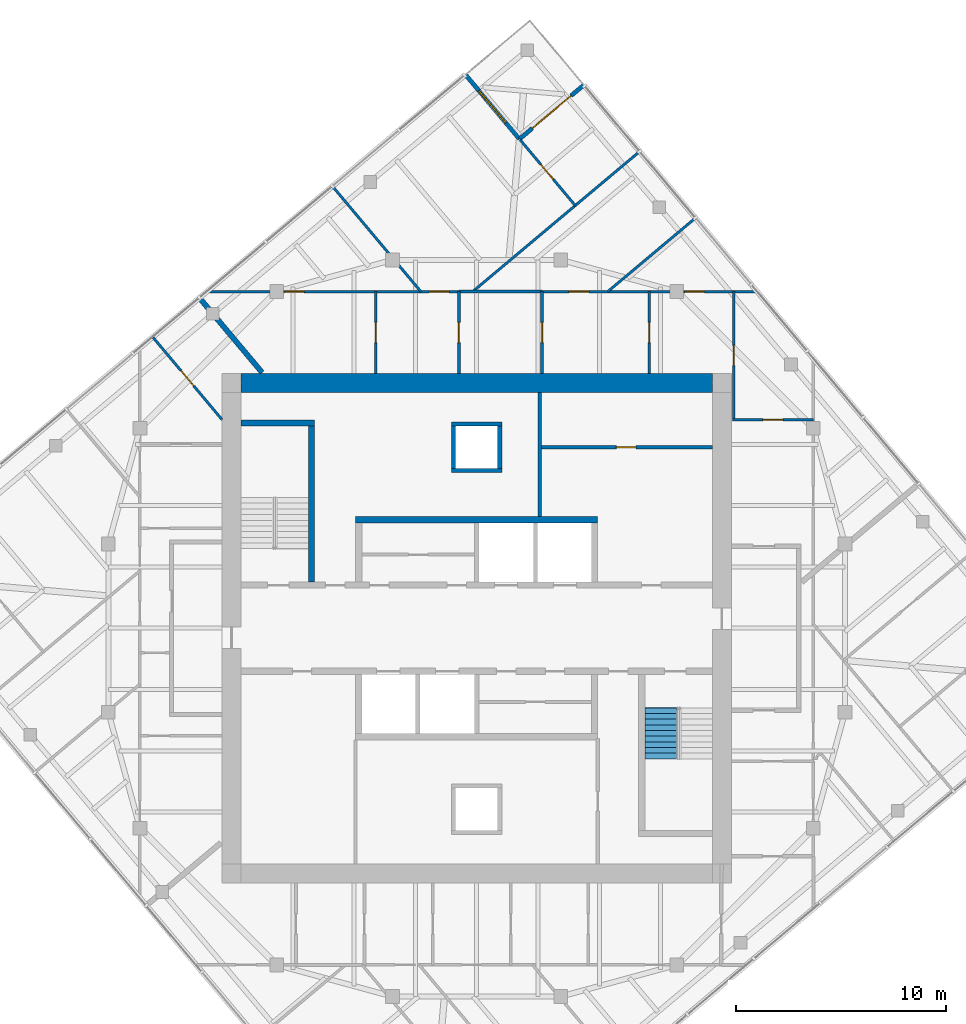
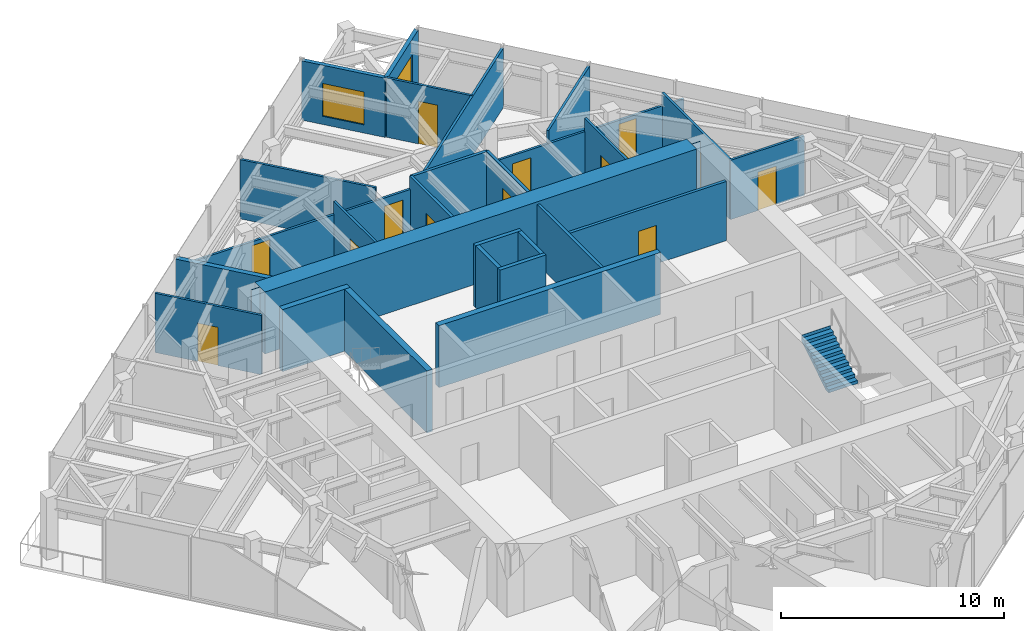
# One storey, part 10 of 12: 27 walls, 14 doors, 1 stair flight, 1 window, 15 openings, 1 element without a shape of its own.
"""IFC4 building model written with IfcOpenShell, lengths in metres."""

from ifc_helpers import new_model, si_unit, direction, frame, frame_2d, origin, place, context, subcontext, project, spatial, polyline, rectangle, outline, extrude, material, layer, layer_set, type_object, element, fill, aggregate, save


model = new_model("IFC4")

# Units and contexts
model_context = context("Model", 3, precision=1e-05, world=origin(), true_north=direction((0.0, 1.0)))
body_context = subcontext(model_context, "Body", "Model", "MODEL_VIEW")
ifc_project = project(units=[si_unit("LENGTHUNIT", "METRE"), si_unit("AREAUNIT", "SQUARE_METRE"), si_unit("VOLUMEUNIT", "CUBIC_METRE"), si_unit("PLANEANGLEUNIT", "RADIAN"), si_unit("MASSUNIT", "GRAM", prefix="KILO")], contexts=[model_context])

# Site, building, storey
site_placement = place(None, origin())
site = spatial("IfcSite", under=ifc_project, at=site_placement, CompositionType="ELEMENT")
building_placement = place(site_placement, origin())
building = spatial("IfcBuilding", under=site, at=building_placement, Name="Torsade Residences", CompositionType="ELEMENT")
storey_placement = place(building_placement, frame((0.0, 0.0, 286.199951171875)))
storey = spatial("IfcBuildingStorey", under=building, at=storey_placement, Name="L79", CompositionType="ELEMENT", Elevation=286.199951171875)

# Walls
ifc_material_1 = material(Name="Concrete 80 MPa", Category="concrete")
ifc_layer_1 = layer(ifc_material_1, 0.300048828125)
ifc_layer_set_1 = layer_set([ifc_layer_1], Name="Concrete 80 MPa")
wall_type_1 = type_object("IfcWallType", Name="CORE INTERNAL WALL 300", PredefinedType="SHEAR", material=ifc_layer_set_1)
wall_1_placement = place(storey_placement, frame((34.25, 35.14990234375, 0.0), z_axis=(0.0, 0.0, 1.0), x_axis=(1.0, 0.0, 0.0)))
element("IfcWall", 1, at=wall_1_placement, inside=storey, type_object=wall_type_1, Name="Core wall BN L79", PredefinedType="SHEAR", context=body_context, shape_type="SweptSolid", body=[
    extrude(rectangle(XDim=11.5, YDim=0.300048828125, at=frame_2d((5.75, 0.0))), origin(), (0.0, 0.0, 1.0), 3.400146484375),
])
wall_2_placement = place(storey_placement, frame((32.14990234375, 32.199951171875, 0.0), z_axis=(0.0, 0.0, 1.0), x_axis=(0.0, 1.0, 0.0)))
element("IfcWall", 2, at=wall_2_placement, inside=storey, type_object=wall_type_1, Name="Core wall ST1E L79", PredefinedType="SHEAR", context=body_context, shape_type="SweptSolid", body=[
    extrude(rectangle(XDim=7.699951171875, YDim=0.300048828125, at=frame_2d((3.85009765625, 0.0))), origin(), (0.0, 0.0, 1.0), 3.400146484375),
])
wall_3_placement = place(storey_placement, frame((28.800048828125, 39.75, 0.0), z_axis=(0.0, 0.0, 1.0), x_axis=(1.0, 0.0, 0.0)))
element("IfcWall", 3, at=wall_3_placement, inside=storey, type_object=wall_type_1, Name="Core wall ST1N L79", PredefinedType="SHEAR", context=body_context, shape_type="SweptSolid", body=[
    extrude(rectangle(XDim=3.5, YDim=0.300048828125, at=frame_2d((1.75, 0.0))), origin(), (0.0, 0.0, 1.0), 3.400146484375),
])
ifc_material_2 = material(Name="Concrete 80 MPa", Category="concrete")
ifc_layer_2 = layer(ifc_material_2, 0.89990234375)
ifc_layer_set_2 = layer_set([ifc_layer_2], Name="Concrete 80 MPa")
wall_type_2 = type_object("IfcWallType", Name="CORE WALL 900", PredefinedType="SHEAR", material=ifc_layer_set_2)
wall_4_placement = place(storey_placement, frame((28.800048828125, 41.64990234375, 0.0), z_axis=(0.0, 0.0, 1.0), x_axis=(1.0, 0.0, 0.0)))
element("IfcWall", 4, at=wall_4_placement, inside=storey, type_object=wall_type_2, Name="Core wall N L79", PredefinedType="SHEAR", context=body_context, shape_type="SweptSolid", body=[
    extrude(outline(polyline([(0.0, -0.449951171875), (22.39990234375, -0.449951171875), (22.39990234375, -0.02490234375), (22.849853515625, -0.02490234375), (22.849853515625, 0.02490234375), (22.39990234375, 0.02490234375), (22.39990234375, 0.449951171875), (0.0, 0.449951171875), (0.0, 0.02490234375), (-0.449951171875, 0.02490234375), (-0.449951171875, -0.02490234375), (0.0, -0.02490234375), (0.0, -0.449951171875)])), origin(), (0.0, 0.0, 1.0), 3.400146484375),
])

# Wall, opening, door
ifc_material_3 = material(Name="Plasterboard on steel stud", Category="steel")
ifc_layer_3 = layer(ifc_material_3, 0.1201171875)
ifc_layer_set_3 = layer_set([ifc_layer_3], Name="Plasterboard on steel stud")
wall_type_3 = type_object("IfcWallType", Name="PARTITION 120", PredefinedType="PARTITIONING", material=ifc_layer_set_3)
wall_5_placement = place(storey_placement, frame((52.163330078125, 39.9140625, 0.0), z_axis=(0.0, 0.0, 1.0), x_axis=(1.0, 0.0, 0.0)))
wall_5 = element("IfcWall", 5, at=wall_5_placement, inside=storey, type_object=wall_type_3, Name="Partition L79", PredefinedType="PARTITIONING", context=body_context, shape_type="SweptSolid", body=[
    extrude(rectangle(XDim=3.836669921875, YDim=0.1201171875, at=frame_2d((1.91845703125, 0.0))), origin(), (0.0, 0.0, 1.0), 3.25),
])
opening_1_placement = place(wall_5_placement, frame((1.438232421875, 0.0, 0.0)))
opening_1 = element("IfcOpeningElement", 6, at=opening_1_placement, cuts=wall_5, Name="Opening D05", PredefinedType="OPENING", context=body_context, shape_type="SweptSolid", body=[
    extrude(rectangle(XDim=0.9599609375, YDim=2.10009765625, at=frame_2d((0.47998046875, 1.050048828125))), frame((0.0, 0.070068359375, 0.0), z_axis=(0.0, -1.0, 0.0), x_axis=(1.0, 0.0, 0.0)), (0.0, 0.0, 1.0), 0.14013671875),
])
ifc_material_4 = material(Name="Hollow-core timber door in a steel cavity frame", Category="steel")
door_type_1 = type_object("IfcDoorType", Name="BATHROOM CAVITY SLIDING DOOR 960", OperationType="SLIDING_TO_LEFT", PredefinedType="DOOR", material=ifc_material_4)
door_1_placement = place(opening_1_placement, origin())
door_1 = element("IfcDoor", 7, at=door_1_placement, inside=storey, type_object=door_type_1, Name="Door Kitchen and dining to Bathroom", OperationType="SLIDING_TO_LEFT", OverallHeight=2.10009765625, OverallWidth=0.9599609375, PredefinedType="DOOR", context=body_context, shape_type="SweptSolid", body=[
    extrude(rectangle(XDim=0.9599609375, YDim=2.10009765625, at=frame_2d((0.47998046875, 1.050048828125))), frame((0.0, 0.02490234375, 0.0), z_axis=(0.0, -1.0, 0.0), x_axis=(1.0, 0.0, 0.0)), (0.0, 0.0, 1.0), 0.050048828125),
])
fill(opening_1, door_1)

wall_6_placement = place(storey_placement, frame((52.21337890625, 39.9140625, 0.0), z_axis=(0.0, 0.0, 1.0), x_axis=(0.0, 1.0, 0.0)))
wall_6 = element("IfcWall", 8, at=wall_6_placement, inside=storey, type_object=wall_type_3, Name="Partition L79", PredefinedType="PARTITIONING", context=body_context, shape_type="SweptSolid", body=[
    extrude(rectangle(XDim=6.0859375, YDim=0.1201171875, at=frame_2d((3.04296875, 0.0))), origin(), (0.0, 0.0, 1.0), 3.25),
])
opening_2_placement = place(wall_6_placement, frame((2.56298828125, 0.0, 0.0)))
opening_2 = element("IfcOpeningElement", 9, at=opening_2_placement, cuts=wall_6, Name="Opening D05", PredefinedType="OPENING", context=body_context, shape_type="SweptSolid", body=[
    extrude(rectangle(XDim=0.9599609375, YDim=2.10009765625, at=frame_2d((0.47998046875, 1.050048828125))), frame((0.0, 0.070068359375, 0.0), z_axis=(0.0, -1.0, 0.0), x_axis=(1.0, 0.0, 0.0)), (0.0, 0.0, 1.0), 0.14013671875),
])
door_2_placement = place(opening_2_placement, origin())
door_2 = element("IfcDoor", 10, at=door_2_placement, inside=storey, type_object=door_type_1, Name="Door Bathroom to Dressing room", OperationType="SLIDING_TO_LEFT", OverallHeight=2.10009765625, OverallWidth=0.9599609375, PredefinedType="DOOR", context=body_context, shape_type="SweptSolid", body=[
    extrude(rectangle(XDim=0.9599609375, YDim=2.10009765625, at=frame_2d((0.47998046875, 1.050048828125))), frame((0.0, 0.02490234375, 0.0), z_axis=(0.0, -1.0, 0.0), x_axis=(1.0, 0.0, 0.0)), (0.0, 0.0, 1.0), 0.050048828125),
])
fill(opening_2, door_2)

# Wall, openings, doors
wall_7_placement = place(storey_placement, frame((43.110107421875, 46.0, 0.0), z_axis=(0.0, 0.0, 1.0), x_axis=(1.0, 0.0, 0.0)))
wall_7 = element("IfcWall", 11, at=wall_7_placement, inside=storey, type_object=wall_type_3, Name="Partition L79", PredefinedType="PARTITIONING", context=body_context, shape_type="SweptSolid", body=[
    extrude(rectangle(XDim=10.1728515625, YDim=0.1201171875, at=frame_2d((5.08642578125, 0.0))), origin(), (0.0, 0.0, 1.0), 2.550048828125),
])
opening_3_placement = place(wall_7_placement, frame((6.788330078125, 0.0, 0.0)))
opening_3 = element("IfcOpeningElement", 12, at=opening_3_placement, cuts=wall_7, Name="Opening D02", PredefinedType="OPENING", context=body_context, shape_type="SweptSolid", body=[
    extrude(rectangle(XDim=0.919921875, YDim=2.340087890625, at=frame_2d((0.4599609375, 1.169921875))), frame((0.0, 0.070068359375, 0.0), z_axis=(0.0, -1.0, 0.0), x_axis=(1.0, 0.0, 0.0)), (0.0, 0.0, 1.0), 0.14013671875),
])
opening_4_placement = place(wall_7_placement, frame((1.2705078125, 0.0, 0.0)))
opening_4 = element("IfcOpeningElement", 13, at=opening_4_placement, cuts=wall_7, Name="Opening D05", PredefinedType="OPENING", context=body_context, shape_type="SweptSolid", body=[
    extrude(rectangle(XDim=0.9599609375, YDim=2.10009765625, at=frame_2d((0.47998046875, 1.050048828125))), frame((0.0, 0.070068359375, 0.0), z_axis=(0.0, -1.0, 0.0), x_axis=(1.0, 0.0, 0.0)), (0.0, 0.0, 1.0), 0.14013671875),
])
door_3_placement = place(opening_4_placement, origin())
door_3 = element("IfcDoor", 14, at=door_3_placement, inside=storey, type_object=door_type_1, Name="Door Ensuite to Bedroom 1", OperationType="SLIDING_TO_LEFT", OverallHeight=2.10009765625, OverallWidth=0.9599609375, PredefinedType="DOOR", context=body_context, shape_type="SweptSolid", body=[
    extrude(rectangle(XDim=0.9599609375, YDim=2.10009765625, at=frame_2d((0.47998046875, 1.050048828125))), frame((0.0, 0.02490234375, 0.0), z_axis=(0.0, -1.0, 0.0), x_axis=(1.0, 0.0, 0.0)), (0.0, 0.0, 1.0), 0.050048828125),
])
fill(opening_4, door_3)
ifc_material_5 = material(Name="Hollow-core timber door", Category="wood")
door_type_2 = type_object("IfcDoorType", Name="INTERNAL DOOR 920x2340", OperationType="NOTDEFINED", PredefinedType="DOOR", material=ifc_material_5)
door_4_placement = place(opening_3_placement, origin())
door_4 = element("IfcDoor", 15, at=door_4_placement, inside=storey, type_object=door_type_2, Name="Door Dressing room to Bedroom 5", OperationType="SINGLE_SWING_LEFT", OverallHeight=2.340087890625, OverallWidth=0.919921875, PredefinedType="DOOR", context=body_context, shape_type="SweptSolid", body=[
    extrude(rectangle(XDim=0.919921875, YDim=2.340087890625, at=frame_2d((0.4599609375, 1.169921875))), frame((0.0, 0.02490234375, 0.0), z_axis=(0.0, -1.0, 0.0), x_axis=(1.0, 0.0, 0.0)), (0.0, 0.0, 1.0), 0.050048828125),
])
fill(opening_3, door_4)

# Wall, opening, door
wall_8_placement = place(storey_placement, frame((48.203369140625, 42.10009765625, 0.0), z_axis=(0.0, 0.0, 1.0), x_axis=(0.0, 1.0, 0.0)))
wall_8 = element("IfcWall", 16, at=wall_8_placement, inside=storey, type_object=wall_type_3, Name="Partition L79", PredefinedType="PARTITIONING", context=body_context, shape_type="SweptSolid", body=[
    extrude(rectangle(XDim=3.89990234375, YDim=0.1201171875, at=frame_2d((1.949951171875, 0.0))), origin(), (0.0, 0.0, 1.0), 3.25),
])
opening_5_placement = place(wall_8_placement, frame((1.469970703125, 0.0, 0.0)))
opening_5 = element("IfcOpeningElement", 17, at=opening_5_placement, cuts=wall_8, Name="Opening D05", PredefinedType="OPENING", context=body_context, shape_type="SweptSolid", body=[
    extrude(rectangle(XDim=0.9599609375, YDim=2.10009765625, at=frame_2d((0.47998046875, 1.050048828125))), frame((0.0, 0.070068359375, 0.0), z_axis=(0.0, -1.0, 0.0), x_axis=(1.0, 0.0, 0.0)), (0.0, 0.0, 1.0), 0.14013671875),
])
door_5_placement = place(opening_5_placement, origin())
door_5 = element("IfcDoor", 18, at=door_5_placement, inside=storey, type_object=door_type_1, Name="Door Dressing room to Ensuite", OperationType="SLIDING_TO_LEFT", OverallHeight=2.10009765625, OverallWidth=0.9599609375, PredefinedType="DOOR", context=body_context, shape_type="SweptSolid", body=[
    extrude(rectangle(XDim=0.9599609375, YDim=2.10009765625, at=frame_2d((0.47998046875, 1.050048828125))), frame((0.0, 0.02490234375, 0.0), z_axis=(0.0, -1.0, 0.0), x_axis=(1.0, 0.0, 0.0)), (0.0, 0.0, 1.0), 0.050048828125),
])
fill(opening_5, door_5)

wall_9_placement = place(storey_placement, frame((35.195068359375, 42.10009765625, 0.0), z_axis=(0.0, 0.0, 1.0), x_axis=(0.0, 1.0, 0.0)))
wall_9 = element("IfcWall", 19, at=wall_9_placement, inside=storey, type_object=wall_type_3, Name="Partition L79", PredefinedType="PARTITIONING", context=body_context, shape_type="SweptSolid", body=[
    extrude(rectangle(XDim=3.89990234375, YDim=0.1201171875, at=frame_2d((1.949951171875, 0.0))), origin(), (0.0, 0.0, 1.0), 3.25),
])
opening_6_placement = place(wall_9_placement, frame((1.469970703125, 0.0, 0.0)))
opening_6 = element("IfcOpeningElement", 20, at=opening_6_placement, cuts=wall_9, Name="Opening D05", PredefinedType="OPENING", context=body_context, shape_type="SweptSolid", body=[
    extrude(rectangle(XDim=0.9599609375, YDim=2.10009765625, at=frame_2d((0.47998046875, 1.050048828125))), frame((0.0, 0.070068359375, 0.0), z_axis=(0.0, -1.0, 0.0), x_axis=(1.0, 0.0, 0.0)), (0.0, 0.0, 1.0), 0.14013671875),
])
door_6_placement = place(opening_6_placement, origin())
door_6 = element("IfcDoor", 21, at=door_6_placement, inside=storey, type_object=door_type_1, Name="Door Laundry to Study", OperationType="SLIDING_TO_LEFT", OverallHeight=2.10009765625, OverallWidth=0.9599609375, PredefinedType="DOOR", context=body_context, shape_type="SweptSolid", body=[
    extrude(rectangle(XDim=0.9599609375, YDim=2.10009765625, at=frame_2d((0.47998046875, 1.050048828125))), frame((0.0, 0.02490234375, 0.0), z_axis=(0.0, -1.0, 0.0), x_axis=(1.0, 0.0, 0.0)), (0.0, 0.0, 1.0), 0.050048828125),
])
fill(opening_6, door_6)

# Wall, openings, doors
wall_10_placement = place(storey_placement, frame((27.238037109375, 46.0, 0.0), z_axis=(0.0, 0.0, 1.0), x_axis=(1.0, 0.0, 0.0)))
wall_10 = element("IfcWall", 22, at=wall_10_placement, inside=storey, type_object=wall_type_3, Name="Partition L79", PredefinedType="PARTITIONING", context=body_context, shape_type="SweptSolid", body=[
    extrude(rectangle(XDim=11.91455078125, YDim=0.1201171875, at=frame_2d((5.957275390625, 0.0))), origin(), (0.0, 0.0, 1.0), 2.550048828125),
])
opening_7_placement = place(wall_10_placement, frame((3.637451171875, 0.0, 0.0)))
opening_7 = element("IfcOpeningElement", 23, at=opening_7_placement, cuts=wall_10, Name="Opening D02", PredefinedType="OPENING", context=body_context, shape_type="SweptSolid", body=[
    extrude(rectangle(XDim=0.919921875, YDim=2.340087890625, at=frame_2d((0.4599609375, 1.169921875))), frame((0.0, 0.070068359375, 0.0), z_axis=(0.0, -1.0, 0.0), x_axis=(1.0, 0.0, 0.0)), (0.0, 0.0, 1.0), 0.14013671875),
])
opening_8_placement = place(wall_10_placement, frame((10.497802734375, 0.0, 0.0)))
opening_8 = element("IfcOpeningElement", 24, at=opening_8_placement, cuts=wall_10, Name="Opening D05", PredefinedType="OPENING", context=body_context, shape_type="SweptSolid", body=[
    extrude(rectangle(XDim=0.9599609375, YDim=2.10009765625, at=frame_2d((0.47998046875, 1.050048828125))), frame((0.0, 0.070068359375, 0.0), z_axis=(0.0, -1.0, 0.0), x_axis=(1.0, 0.0, 0.0)), (0.0, 0.0, 1.0), 0.14013671875),
])
door_7_placement = place(opening_8_placement, origin())
door_7 = element("IfcDoor", 25, at=door_7_placement, inside=storey, type_object=door_type_1, Name="Door Laundry to Living room", OperationType="SLIDING_TO_LEFT", OverallHeight=2.10009765625, OverallWidth=0.9599609375, PredefinedType="DOOR", context=body_context, shape_type="SweptSolid", body=[
    extrude(rectangle(XDim=0.9599609375, YDim=2.10009765625, at=frame_2d((0.47998046875, 1.050048828125))), frame((0.0, 0.02490234375, 0.0), z_axis=(0.0, -1.0, 0.0), x_axis=(1.0, 0.0, 0.0)), (0.0, 0.0, 1.0), 0.050048828125),
])
fill(opening_8, door_7)
door_8_placement = place(opening_7_placement, origin())
door_8 = element("IfcDoor", 26, at=door_8_placement, inside=storey, type_object=door_type_2, Name="Door Study to Bedroom 2", OperationType="SINGLE_SWING_LEFT", OverallHeight=2.340087890625, OverallWidth=0.919921875, PredefinedType="DOOR", context=body_context, shape_type="SweptSolid", body=[
    extrude(rectangle(XDim=0.919921875, YDim=2.340087890625, at=frame_2d((0.4599609375, 1.169921875))), frame((0.0, 0.02490234375, 0.0), z_axis=(0.0, -1.0, 0.0), x_axis=(1.0, 0.0, 0.0)), (0.0, 0.0, 1.0), 0.050048828125),
])
fill(opening_7, door_8)

# Walls
wall_11_placement = place(storey_placement, frame((47.71875, 52.631103515625, 0.0), z_axis=(0.0, 0.0, 1.0), x_axis=(-0.766052076481, -0.64277851249, 0.0)))
element("IfcWall", 27, at=wall_11_placement, inside=storey, type_object=wall_type_3, Name="Partition L79", PredefinedType="PARTITIONING", context=body_context, shape_type="SweptSolid", body=[
    extrude(rectangle(XDim=10.31640625, YDim=0.1201171875, at=frame_2d((5.158203125, 0.0))), origin(), (0.0, 0.0, 1.0), 3.25),
])
wall_12_placement = place(storey_placement, frame((37.343994140625, 46.0, 0.0), z_axis=(0.0, 0.0, 1.0), x_axis=(-0.642779498388, 0.766051249233, 0.0)))
element("IfcWall", 28, at=wall_12_placement, inside=storey, type_object=wall_type_3, Name="Partition L79", PredefinedType="PARTITIONING", context=body_context, shape_type="SweptSolid", body=[
    extrude(rectangle(XDim=6.49609375, YDim=0.1201171875, at=frame_2d((3.248046875, 0.0))), origin(), (0.0, 0.0, 1.0), 3.25),
])

# Wall, opening, door
wall_13_placement = place(storey_placement, frame((42.0595703125, 53.215087890625, 0.0), z_axis=(0.0, 0.0, 1.0), x_axis=(0.642796729538, -0.766036790562, 0.0)))
wall_13 = element("IfcWall", 29, at=wall_13_placement, inside=storey, type_object=wall_type_3, Name="Partition L79", PredefinedType="PARTITIONING", context=body_context, shape_type="SweptSolid", body=[
    extrude(rectangle(XDim=4.0849609375, YDim=0.1201171875, at=frame_2d((2.04248046875, 0.0))), origin(), (0.0, 0.0, 1.0), 3.25),
])
opening_9_placement = place(wall_13_placement, frame((1.53759765625, 0.0, 0.0)))
opening_9 = element("IfcOpeningElement", 30, at=opening_9_placement, cuts=wall_13, Name="Opening D02", PredefinedType="OPENING", context=body_context, shape_type="SweptSolid", body=[
    extrude(rectangle(XDim=0.919921875, YDim=2.340087890625, at=frame_2d((0.4599609375, 1.169921875))), frame((0.0, 0.070068359375, 0.0), z_axis=(0.0, -1.0, 0.0), x_axis=(1.0, 0.0, 0.0)), (0.0, 0.0, 1.0), 0.14013671875),
])
door_9_placement = place(opening_9_placement, origin())
door_9 = element("IfcDoor", 31, at=door_9_placement, inside=storey, type_object=door_type_2, Name="Door Living room to Bedroom 4", OperationType="SINGLE_SWING_RIGHT", OverallHeight=2.340087890625, OverallWidth=0.919921875, PredefinedType="DOOR", context=body_context, shape_type="SweptSolid", body=[
    extrude(rectangle(XDim=0.919921875, YDim=2.340087890625, at=frame_2d((0.4599609375, 1.169921875))), frame((0.0, 0.02490234375, 0.0), z_axis=(0.0, -1.0, 0.0), x_axis=(1.0, 0.0, 0.0)), (0.0, 0.0, 1.0), 0.050048828125),
])
fill(opening_9, door_9)

# Wall
wall_14_placement = place(storey_placement, frame((50.370361328125, 49.47119140625, 0.0), z_axis=(0.0, 0.0, 1.0), x_axis=(-0.766056536168, -0.642773197476, 0.0)))
element("IfcWall", 32, at=wall_14_placement, inside=storey, type_object=wall_type_3, Name="Partition L79", PredefinedType="PARTITIONING", context=body_context, shape_type="SweptSolid", body=[
    extrude(rectangle(XDim=5.400390625, YDim=0.1201171875, at=frame_2d((2.7001953125, 0.0))), origin(), (0.0, 0.0, 1.0), 3.25),
])

# Wall, opening, door
wall_15_placement = place(storey_placement, frame((27.89990234375, 39.91259765625, 0.0), z_axis=(0.0, 0.0, 1.0), x_axis=(-0.64279031777, 0.766042170759, 0.0)))
wall_15 = element("IfcWall", 33, at=wall_15_placement, inside=storey, type_object=wall_type_3, Name="Partition L79", PredefinedType="PARTITIONING", context=body_context, shape_type="SweptSolid", body=[
    extrude(rectangle(XDim=5.0888671875, YDim=0.1201171875, at=frame_2d((2.54443359375, 0.0))), origin(), (0.0, 0.0, 1.0), 3.25),
])
opening_10_placement = place(wall_15_placement, frame((2.08447265625, 0.0, 0.0)))
opening_10 = element("IfcOpeningElement", 34, at=opening_10_placement, cuts=wall_15, Name="Opening D05", PredefinedType="OPENING", context=body_context, shape_type="SweptSolid", body=[
    extrude(rectangle(XDim=0.9599609375, YDim=2.10009765625, at=frame_2d((0.47998046875, 1.050048828125))), frame((0.0, 0.070068359375, 0.0), z_axis=(0.0, -1.0, 0.0), x_axis=(1.0, 0.0, 0.0)), (0.0, 0.0, 1.0), 0.14013671875),
])
door_10_placement = place(opening_10_placement, origin())
door_10 = element("IfcDoor", 35, at=door_10_placement, inside=storey, type_object=door_type_1, Name="Door Dressing room to Ensuite", OperationType="SLIDING_TO_LEFT", OverallHeight=2.10009765625, OverallWidth=0.9599609375, PredefinedType="DOOR", context=body_context, shape_type="SweptSolid", body=[
    extrude(rectangle(XDim=0.9599609375, YDim=2.10009765625, at=frame_2d((0.47998046875, 1.050048828125))), frame((0.0, 0.02490234375, 0.0), z_axis=(0.0, -1.0, 0.0), x_axis=(1.0, 0.0, 0.0)), (0.0, 0.0, 1.0), 0.050048828125),
])
fill(opening_10, door_10)

# Walls
ifc_material_6 = material(Name="Masonry-lined stud party wall", Category="masonry")
ifc_layer_4 = layer(ifc_material_6, 0.25)
ifc_layer_set_4 = layer_set([ifc_layer_4], Name="Masonry-lined stud party wall")
wall_type_4 = type_object("IfcWallType", Name="PARTY WALL 250", PredefinedType="PARTITIONING", material=ifc_layer_set_4)
wall_16_placement = place(storey_placement, frame((26.82275390625, 45.703857421875, 0.0), z_axis=(0.0, 0.0, 1.0), x_axis=(0.64279957712, -0.76603440109, 0.0)))
element("IfcWall", 36, at=wall_16_placement, inside=storey, type_object=wall_type_4, Name="Party wall L79", PredefinedType="PARTITIONING", context=body_context, shape_type="SweptSolid", body=[
    extrude(rectangle(XDim=4.6396484375, YDim=0.25, at=frame_2d((2.31982421875, 0.0))), origin(), (0.0, 0.0, 1.0), 3.25),
])
ifc_material_7 = material(Name="Reinforced blockwork", Category="masonry")
ifc_layer_5 = layer(ifc_material_7, 0.199951171875)
ifc_layer_set_5 = layer_set([ifc_layer_5], Name="Reinforced blockwork")
wall_type_5 = type_object("IfcWallType", Name="RISER SHAFT WALL 200", PredefinedType="SOLIDWALL", material=ifc_layer_set_5)
for number, where, z_axis, x_axis, name in (
    (37, (38.89990234375, 37.60009765625, 0.0), (0.0, 0.0, 1.0), (0.0, 1.0, 0.0), "Core wall RS1a L79"),
    (38, (41.10009765625, 37.60009765625, 0.0), (0.0, 0.0, 1.0), (0.0, 1.0, 0.0), "Core wall RS1b L79"),
):
    element("IfcWall", number, at=place(storey_placement, frame(where, z_axis=z_axis, x_axis=x_axis)), inside=storey, type_object=wall_type_5, Name=name, PredefinedType="SOLIDWALL", context=body_context, shape_type="SweptSolid", body=[
        extrude(rectangle(XDim=2.0, YDim=0.199951171875, at=frame_2d((1.0, 0.0))), origin(), (0.0, 0.0, 1.0), 3.400146484375),
    ])
for number, where, z_axis, x_axis, name in (
    (39, (38.800048828125, 37.5, 0.0), (0.0, 0.0, 1.0), (1.0, 0.0, 0.0), "Core wall RS1c L79"),
    (40, (38.800048828125, 39.699951171875, 0.0), (0.0, 0.0, 1.0), (1.0, 0.0, 0.0), "Core wall RS1d L79"),
):
    element("IfcWall", number, at=place(storey_placement, frame(where, z_axis=z_axis, x_axis=x_axis)), inside=storey, type_object=wall_type_5, Name=name, PredefinedType="SOLIDWALL", context=body_context, shape_type="SweptSolid", body=[
        extrude(rectangle(XDim=2.39990234375, YDim=0.199951171875, at=frame_2d((1.199951171875, 0.0))), origin(), (0.0, 0.0, 1.0), 3.400146484375),
    ])
ifc_material_8 = material(Name="Reinforced blockwork", Category="masonry")
ifc_layer_6 = layer(ifc_material_8, 0.14990234375)
ifc_layer_set_6 = layer_set([ifc_layer_6], Name="Reinforced blockwork")
wall_type_6 = type_object("IfcWallType", Name="SERVICE ROOM WALL 150", PredefinedType="SOLIDWALL", material=ifc_layer_set_6)
wall_17_placement = place(storey_placement, frame((43.0, 41.199951171875, 0.0), z_axis=(0.0, 0.0, 1.0), x_axis=(0.0, -1.0, 0.0)))
element("IfcWall", 41, at=wall_17_placement, inside=storey, type_object=wall_type_6, Name="Service room wall L79", PredefinedType="SOLIDWALL", context=body_context, shape_type="SweptSolid", body=[
    extrude(rectangle(XDim=5.89990234375, YDim=0.14990234375, at=frame_2d((2.949951171875, 0.0))), origin(), (0.0, 0.0, 1.0), 3.25),
])

# Wall, opening, door
wall_18_placement = place(storey_placement, frame((43.0, 38.60009765625, 0.0), z_axis=(0.0, 0.0, 1.0), x_axis=(1.0, 0.0, 0.0)))
wall_18 = element("IfcWall", 42, at=wall_18_placement, inside=storey, type_object=wall_type_6, Name="Service room wall L79", PredefinedType="SOLIDWALL", context=body_context, shape_type="SweptSolid", body=[
    extrude(rectangle(XDim=8.199951171875, YDim=0.14990234375, at=frame_2d((4.10009765625, 0.0))), origin(), (0.0, 0.0, 1.0), 3.25),
])
opening_11_placement = place(wall_18_placement, frame((3.639892578125, 0.0, 0.0)))
opening_11 = element("IfcOpeningElement", 43, at=opening_11_placement, cuts=wall_18, Name="Opening D06", PredefinedType="OPENING", context=body_context, shape_type="SweptSolid", body=[
    extrude(rectangle(XDim=0.919921875, YDim=2.10009765625, at=frame_2d((0.4599609375, 1.050048828125))), frame((0.0, 0.0849609375, 0.0), z_axis=(0.0, -1.0, 0.0), x_axis=(1.0, 0.0, 0.0)), (0.0, 0.0, 1.0), 0.169921875),
])
ifc_material_9 = material(Name="Steel-framed fire door", Category="steel")
door_type_3 = type_object("IfcDoorType", Name="FIRE DOOR 920", OperationType="NOTDEFINED", PredefinedType="DOOR", material=ifc_material_9)
door_11_placement = place(opening_11_placement, origin())
door_11 = element("IfcDoor", 44, at=door_11_placement, inside=storey, type_object=door_type_3, Name="Door Refuse room to Recycling room", OperationType="SINGLE_SWING_RIGHT", OverallHeight=2.10009765625, OverallWidth=0.919921875, PredefinedType="DOOR", context=body_context, shape_type="SweptSolid", body=[
    extrude(rectangle(XDim=0.919921875, YDim=2.10009765625, at=frame_2d((0.4599609375, 1.050048828125))), frame((0.0, 0.02490234375, 0.0), z_axis=(0.0, -1.0, 0.0), x_axis=(1.0, 0.0, 0.0)), (0.0, 0.0, 1.0), 0.050048828125),
])
fill(opening_11, door_11)

wall_19_placement = place(storey_placement, frame((43.110107421875, 42.10009765625, 0.0), z_axis=(0.0, 0.0, 1.0), x_axis=(0.0, 1.0, 0.0)))
wall_19 = element("IfcWall", 45, at=wall_19_placement, inside=storey, type_object=wall_type_6, Name="Service room wall L79", PredefinedType="SOLIDWALL", context=body_context, shape_type="SweptSolid", body=[
    extrude(rectangle(XDim=3.89990234375, YDim=0.14990234375, at=frame_2d((1.949951171875, 0.0))), origin(), (0.0, 0.0, 1.0), 3.25),
])
opening_12_placement = place(wall_19_placement, frame((1.469970703125, 0.0, 0.0)))
opening_12 = element("IfcOpeningElement", 46, at=opening_12_placement, cuts=wall_19, Name="Opening D05", PredefinedType="OPENING", context=body_context, shape_type="SweptSolid", body=[
    extrude(rectangle(XDim=0.9599609375, YDim=2.10009765625, at=frame_2d((0.47998046875, 1.050048828125))), frame((0.0, 0.0849609375, 0.0), z_axis=(0.0, -1.0, 0.0), x_axis=(1.0, 0.0, 0.0)), (0.0, 0.0, 1.0), 0.169921875),
])
door_12_placement = place(opening_12_placement, origin())
door_12 = element("IfcDoor", 47, at=door_12_placement, inside=storey, type_object=door_type_1, Name="Door Ensuite to Linen store", OperationType="SLIDING_TO_LEFT", OverallHeight=2.10009765625, OverallWidth=0.9599609375, PredefinedType="DOOR", context=body_context, shape_type="SweptSolid", body=[
    extrude(rectangle(XDim=0.9599609375, YDim=2.10009765625, at=frame_2d((0.47998046875, 1.050048828125))), frame((0.0, 0.02490234375, 0.0), z_axis=(0.0, -1.0, 0.0), x_axis=(1.0, 0.0, 0.0)), (0.0, 0.0, 1.0), 0.050048828125),
])
fill(opening_12, door_12)

wall_20_placement = place(storey_placement, frame((39.152587890625, 46.0, 0.0), z_axis=(0.0, 0.0, 1.0), x_axis=(0.0, -1.0, 0.0)))
wall_20 = element("IfcWall", 48, at=wall_20_placement, inside=storey, type_object=wall_type_6, Name="Service room wall L79", PredefinedType="SOLIDWALL", context=body_context, shape_type="SweptSolid", body=[
    extrude(rectangle(XDim=3.89990234375, YDim=0.14990234375, at=frame_2d((1.949951171875, 0.0))), origin(), (0.0, 0.0, 1.0), 3.25),
])
opening_13_placement = place(wall_20_placement, frame((1.469970703125, 0.0, 0.0)))
opening_13 = element("IfcOpeningElement", 49, at=opening_13_placement, cuts=wall_20, Name="Opening D05", PredefinedType="OPENING", context=body_context, shape_type="SweptSolid", body=[
    extrude(rectangle(XDim=0.9599609375, YDim=2.10009765625, at=frame_2d((0.47998046875, 1.050048828125))), frame((0.0, 0.0849609375, 0.0), z_axis=(0.0, -1.0, 0.0), x_axis=(1.0, 0.0, 0.0)), (0.0, 0.0, 1.0), 0.169921875),
])
door_13_placement = place(opening_13_placement, origin())
door_13 = element("IfcDoor", 50, at=door_13_placement, inside=storey, type_object=door_type_1, Name="Door Linen store to Laundry", OperationType="SLIDING_TO_LEFT", OverallHeight=2.10009765625, OverallWidth=0.9599609375, PredefinedType="DOOR", context=body_context, shape_type="SweptSolid", body=[
    extrude(rectangle(XDim=0.9599609375, YDim=2.10009765625, at=frame_2d((0.47998046875, 1.050048828125))), frame((0.0, 0.02490234375, 0.0), z_axis=(0.0, -1.0, 0.0), x_axis=(1.0, 0.0, 0.0)), (0.0, 0.0, 1.0), 0.050048828125),
])
fill(opening_13, door_13)

# Wall
wall_21_placement = place(storey_placement, frame((39.152587890625, 46.0, 0.0), z_axis=(0.0, 0.0, 1.0), x_axis=(1.0, 0.0, 0.0)))
element("IfcWall", 51, at=wall_21_placement, inside=storey, type_object=wall_type_6, Name="Service room wall L79", PredefinedType="SOLIDWALL", context=body_context, shape_type="SweptSolid", body=[
    extrude(rectangle(XDim=3.95751953125, YDim=0.14990234375, at=frame_2d((1.978759765625, 0.0))), origin(), (0.0, 0.0, 1.0), 3.25),
])

# Wall, opening, door
ifc_material_10 = material(Name="Stone-faced precast concrete 40 MPa panel", Category="masonry")
ifc_layer_7 = layer(ifc_material_10, 0.199951171875)
ifc_layer_set_7 = layer_set([ifc_layer_7], Name="Stone-faced precast concrete 40 MPa panel")
wall_type_7 = type_object("IfcWallType", Name="TERRACE WALL 200", PredefinedType="SOLIDWALL", material=ifc_layer_set_7)
wall_22_placement = place(storey_placement, frame((45.097900390625, 55.81689453125, 0.0), z_axis=(0.0, 0.0, 1.0), x_axis=(-0.766060656284, -0.642768287094, 0.0)))
wall_22 = element("IfcWall", 52, at=wall_22_placement, inside=storey, type_object=wall_type_7, Name="Terrace wall L79 5", PredefinedType="SOLIDWALL", context=body_context, shape_type="SweptSolid", body=[
    extrude(rectangle(XDim=4.0, YDim=0.199951171875, at=frame_2d((2.0, 0.0))), origin(), (0.0, 0.0, 1.0), 3.25),
])
opening_14_placement = place(wall_22_placement, frame((0.800048828125, 0.0, 0.0)))
opening_14 = element("IfcOpeningElement", 53, at=opening_14_placement, cuts=wall_22, Name="Opening D10", PredefinedType="OPENING", context=body_context, shape_type="SweptSolid", body=[
    extrude(rectangle(XDim=2.39990234375, YDim=2.39990234375, at=frame_2d((1.199951171875, 1.199951171875))), frame((0.0, 0.10986328125, 0.0), z_axis=(0.0, -1.0, 0.0), x_axis=(1.0, 0.0, 0.0)), (0.0, 0.0, 1.0), 0.219970703125),
])
ifc_material_11 = material(Name="Aluminium-framed glass door", Category="aluminium")
door_type_4 = type_object("IfcDoorType", Name="TERRACE SLIDING DOOR 2400", OperationType="SLIDING_TO_LEFT", PredefinedType="DOOR", material=ifc_material_11)
door_14_placement = place(opening_14_placement, origin())
door_14 = element("IfcDoor", 54, at=door_14_placement, inside=storey, type_object=door_type_4, Name="Terrace door L79 5", OperationType="SLIDING_TO_LEFT", OverallHeight=2.39990234375, OverallWidth=2.39990234375, PredefinedType="DOOR", context=body_context, shape_type="SweptSolid", body=[
    extrude(rectangle(XDim=2.39990234375, YDim=2.39990234375, at=frame_2d((1.199951171875, 1.199951171875))), frame((0.0, 0.02490234375, 0.0), z_axis=(0.0, -1.0, 0.0), x_axis=(1.0, 0.0, 0.0)), (0.0, 0.0, 1.0), 0.050048828125),
])
fill(opening_14, door_14)

# Wall, opening, window
wall_23_placement = place(storey_placement, frame((42.03369140625, 53.245849609375, 0.0), z_axis=(0.0, 0.0, 1.0), x_axis=(-0.642798342015, 0.766035437498, 0.0)))
wall_23 = element("IfcWall", 55, at=wall_23_placement, inside=storey, type_object=wall_type_7, Name="Terrace wall L79 6", PredefinedType="SOLIDWALL", context=body_context, shape_type="SweptSolid", body=[
    extrude(rectangle(XDim=3.999755859375, YDim=0.199951171875, at=frame_2d((2.0, 0.0))), origin(), (0.0, 0.0, 1.0), 3.25),
])
opening_15_placement = place(wall_23_placement, frame((1.0, 0.0, 0.449951171875)))
opening_15 = element("IfcOpeningElement", 56, at=opening_15_placement, cuts=wall_23, Name="Opening W1B", PredefinedType="OPENING", context=body_context, shape_type="SweptSolid", body=[
    extrude(rectangle(XDim=2.0, YDim=1.800048828125, at=frame_2d((1.0, 0.89990234375))), frame((0.0, 0.10986328125, 0.0), z_axis=(0.0, -1.0, 0.0), x_axis=(1.0, 0.0, 0.0)), (0.0, 0.0, 1.0), 0.219970703125),
])
ifc_material_12 = material(Name="Aluminium-framed glass window", Category="aluminium")
window_type = type_object("IfcWindowType", Name="TERRACE WINDOW 2000x1800", PartitioningType="SINGLE_PANEL", PredefinedType="WINDOW", material=ifc_material_12)
window_placement = place(opening_15_placement, origin())
window = element("IfcWindow", 57, at=window_placement, inside=storey, type_object=window_type, Name="Terrace window L79 6", OverallHeight=1.800048828125, OverallWidth=2.0, PartitioningType="SINGLE_PANEL", PredefinedType="WINDOW", context=body_context, shape_type="SweptSolid", body=[
    extrude(rectangle(XDim=2.0, YDim=1.800048828125, at=frame_2d((1.0, 0.89990234375))), frame((0.0, 0.030029296875, 0.0), z_axis=(0.0, -1.0, 0.0), x_axis=(1.0, 0.0, 0.0)), (0.0, 0.0, 1.0), 0.06005859375),
])
fill(opening_15, window)

# Stair, stair flight
ifc_material_13 = material(Name="Precast concrete 40 MPa", Category="concrete")
stair_type = type_object("IfcStairType", Name="HALF-TURN FIRE STAIR 1500x3400", PredefinedType="HALF_TURN_STAIR", material=ifc_material_13)
stair_placement = place(storey_placement, origin())
stair = element("IfcStair", 58, at=stair_placement, inside=storey, type_object=stair_type, Name="Stair ST2 L79", PredefinedType="HALF_TURN_STAIR")
ifc_material_14 = material(Name="Precast concrete 40 MPa", Category="concrete")
stair_flight_type = type_object("IfcStairFlightType", Name="PRECAST STAIR FLIGHT 1500x1700", PredefinedType="STRAIGHT", material=ifc_material_14)
stair_flight_placement = place(storey_placement, frame((48.75, 23.7900390625, 1.699951171875), z_axis=(0.0, 0.0, 1.0), x_axis=(0.0, 1.0, 0.0)))
stair_flight = element("IfcStairFlight", 59, at=stair_flight_placement, type_object=stair_flight_type, Name="ST2 flight 2", NumberOfRisers=10, NumberOfTreads=9, PredefinedType="STRAIGHT", RiserHeight=0.17, TreadLength=0.27, context=body_context, shape_type="SweptSolid", body=[
    extrude(outline(polyline([(0.0, 0.0), (0.0, 0.169921875), (0.27001953125, 0.169921875), (0.27001953125, 0.340087890625), (0.5400390625, 0.340087890625), (0.5400390625, 0.510009765625), (0.81005859375, 0.510009765625), (0.81005859375, 0.679931640625), (1.080078125, 0.679931640625), (1.080078125, 0.85009765625), (1.35009765625, 0.85009765625), (1.35009765625, 1.02001953125), (1.6201171875, 1.02001953125), (1.6201171875, 1.18994140625), (1.889892578125, 1.18994140625), (1.889892578125, 1.360107421875), (2.159912109375, 1.360107421875), (2.159912109375, 1.530029296875), (2.429931640625, 1.530029296875), (2.429931640625, 1.699951171875), (2.43994140625, 1.699951171875), (2.43994140625, 1.352783203125), (2.429931640625, 1.352783203125), (0.28125, 0.0), (0.0, 0.0)])), frame((0.0, 0.75, 0.0), z_axis=(0.0, -1.0, 0.0), x_axis=(1.0, 0.0, 0.0)), (0.0, 0.0, 1.0), 1.5),
])
aggregate(stair, [stair_flight])

save(model, "model.ifc")
